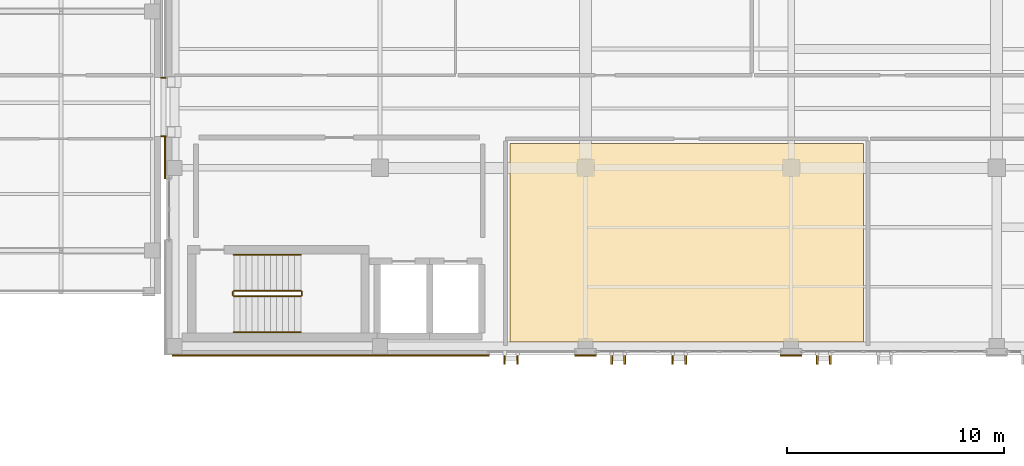
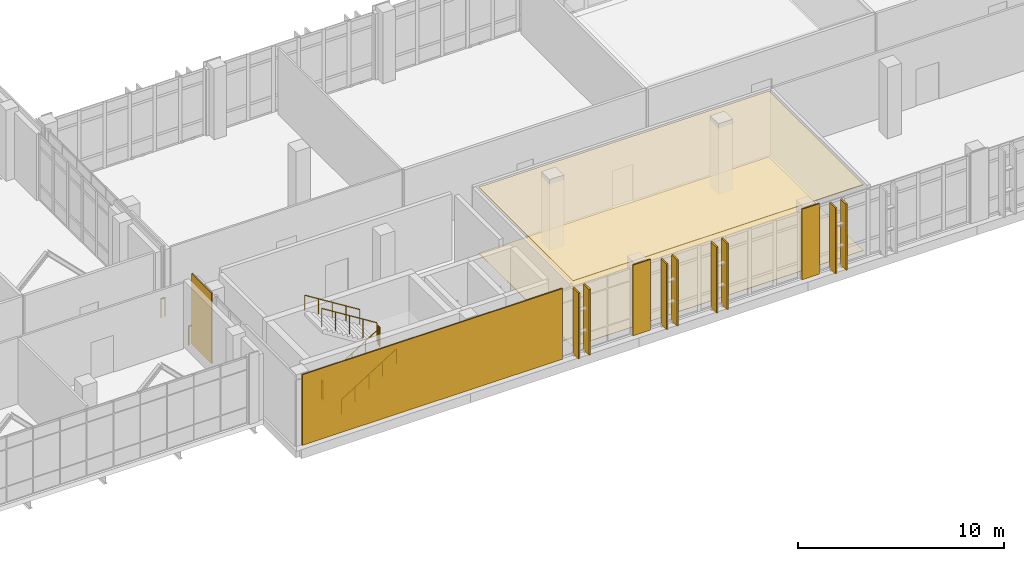
# One storey, part 148 of 165: 8 railings, 8 shading devices, 6 coverings.
"""IFC4 building model written with IfcOpenShell, lengths in metres."""

from ifc_helpers import new_model, si_unit, direction, frame, origin, origin_2d, place, context, subcontext, project, spatial, polyline, rectangle, circle, outline, extrude, material, layer, layer_set, type_object, element, save


model = new_model("IFC4")

# Units and contexts
model_context = context("Model", 3, precision=1e-05, world=origin(), true_north=direction((0.0, 1.0)))
body_context = subcontext(model_context, "Body", "Model", "MODEL_VIEW")
ifc_project = project(units=[si_unit("LENGTHUNIT", "METRE"), si_unit("AREAUNIT", "SQUARE_METRE"), si_unit("VOLUMEUNIT", "CUBIC_METRE"), si_unit("PLANEANGLEUNIT", "RADIAN"), si_unit("MASSUNIT", "GRAM", prefix="KILO")], contexts=[model_context])

# Site, building, storey
site_placement = place(None, origin())
site = spatial("IfcSite", under=ifc_project, at=site_placement, CompositionType="ELEMENT")
building_placement = place(site_placement, origin())
building = spatial("IfcBuilding", under=site, at=building_placement, Name="Qalavern Law Courts", CompositionType="ELEMENT")
storey_placement = place(building_placement, frame((0.0, 0.0, 14.39990234375)))
storey = spatial("IfcBuildingStorey", under=building, at=storey_placement, Name="L03", CompositionType="ELEMENT", Elevation=14.39990234375)

# Railings
ifc_material_1 = material(Name="Steel S355", Category="steel")
railing_type_1 = type_object("IfcRailingType", Name="ENV-BAL-1120", PredefinedType="BALUSTRADE", material=ifc_material_1)
for number, where, name in (
    (1, (34.0, 15.260009765625, 0.0), "Bridge BR-V1-V2 joint guard L03-1"),
    (2, (34.0, 17.93994140625, 0.0), "Bridge BR-V1-V2 joint guard L03-2"),
):
    element("IfcRailing", number, at=place(storey_placement, frame(where)), inside=storey, type_object=railing_type_1, Name=name, PredefinedType="BALUSTRADE", context=body_context, shape_type="SweptSolid", body=[
        extrude(circle(Radius=0.02392578125, at=origin_2d()), frame((0.0, 0.0, 1.09619140625), z_axis=(1.0, 0.0, 0.0), x_axis=(0.0, 1.0, 0.0)), (0.0, 0.0, 1.0), 0.219970703125),
        extrude(circle(Radius=0.02099609375, at=origin_2d()), origin(), (0.0, 0.0, 1.0), 1.072021484375),
        extrude(circle(Radius=0.02099609375, at=origin_2d()), frame((0.219970703125, 0.0, 0.0)), (0.0, 0.0, 1.0), 1.072021484375),
    ])

# Coverings
ifc_material_2 = material(Name="Precast concrete C40/50", Category="concrete")
ifc_layer_1 = layer(ifc_material_2, 0.072021484375)
ifc_layer_set_1 = layer_set([ifc_layer_1], Name="Precast concrete C40/50")
covering_type_1 = type_object("IfcCoveringType", Name="ENV-CLD-2", PredefinedType="CLADDING", material=ifc_layer_set_1)
covering_1_placement = place(storey_placement, frame((41.804931640625, 5.1669921875, 0.01025390625), z_axis=(0.0, 0.0, 1.0), x_axis=(1.0, 0.0, 0.0)))
element("IfcCovering", 3, at=covering_1_placement, inside=storey, type_object=covering_type_1, Name="V2 Absheron limestone pier facing L03 south 1", PredefinedType="CLADDING", context=body_context, shape_type="SweptSolid", body=[
    extrude(rectangle(XDim=14.570068359375, YDim=0.072021484375, at=origin_2d()), origin(), (0.0, 0.0, 1.0), 4.179931640625),
])
for number, where, z_axis, x_axis, name in (
    (4, (53.528564453125, 5.1669921875, 0.01025390625), (0.0, 0.0, 1.0), (1.0, 0.0, 0.0), "V2 Absheron limestone pier facing L03 south 2"),
    (5, (62.98291015625, 5.1669921875, 0.01025390625), (0.0, 0.0, 1.0), (1.0, 0.0, 0.0), "V2 Absheron limestone pier facing L03 south 3"),
):
    element("IfcCovering", number, at=place(storey_placement, frame(where, z_axis=z_axis, x_axis=x_axis)), inside=storey, type_object=covering_type_1, Name=name, PredefinedType="CLADDING", context=body_context, shape_type="SweptSolid", body=[
        extrude(rectangle(XDim=0.97998046875, YDim=0.072021484375, at=origin_2d()), origin(), (0.0, 0.0, 1.0), 4.179931640625),
    ])
covering_2_placement = place(storey_placement, frame((34.18701171875, 14.27490234375, 0.01025390625), z_axis=(0.0, 0.0, 1.0), x_axis=(0.0, -1.0, 0.0)))
element("IfcCovering", 6, at=covering_2_placement, inside=storey, type_object=covering_type_1, Name="V2 Absheron limestone pier facing L03 west 1", PredefinedType="CLADDING", context=body_context, shape_type="SweptSolid", body=[
    extrude(rectangle(XDim=1.929931640625, YDim=0.072021484375, at=origin_2d()), origin(), (0.0, 0.0, 1.0), 4.179931640625),
])

# Shading devices
shading_device_type = type_object("IfcShadingDeviceType", Name="ENV-FIN-1", PredefinedType="USERDEFINED", material=ifc_material_2)
for number, where, z_axis, x_axis, name in (
    (7, (49.800048828125, 5.03759765625, 0.01025390625), (0.0, 0.0, 1.0), (0.0, -1.0, 0.0), "Hall solar shading fin 0097"),
    (8, (50.39990234375, 5.03759765625, 0.01025390625), (0.0, 0.0, 1.0), (0.0, -1.0, 0.0), "Hall solar shading fin 0098"),
    (9, (54.728515625, 5.03759765625, 0.01025390625), (0.0, 0.0, 1.0), (0.0, -1.0, 0.0), "Hall solar shading fin 0099"),
    (10, (55.32861328125, 5.03759765625, 0.01025390625), (0.0, 0.0, 1.0), (0.0, -1.0, 0.0), "Hall solar shading fin 0100"),
    (11, (57.528564453125, 5.03759765625, 0.01025390625), (0.0, 0.0, 1.0), (0.0, -1.0, 0.0), "Hall solar shading fin 0101"),
    (12, (58.128662109375, 5.03759765625, 0.01025390625), (0.0, 0.0, 1.0), (0.0, -1.0, 0.0), "Hall solar shading fin 0102"),
    (13, (64.182861328125, 5.03759765625, 0.01025390625), (0.0, 0.0, 1.0), (0.0, -1.0, 0.0), "Hall solar shading fin 0103"),
    (14, (64.782958984375, 5.03759765625, 0.01025390625), (0.0, 0.0, 1.0), (0.0, -1.0, 0.0), "Hall solar shading fin 0104"),
):
    element("IfcShadingDevice", number, at=place(storey_placement, frame(where, z_axis=z_axis, x_axis=x_axis)), inside=storey, type_object=shading_device_type, Name=name, ObjectType="FIN", PredefinedType="USERDEFINED", context=body_context, shape_type="SweptSolid", body=[
        extrude(rectangle(XDim=0.5400390625, YDim=0.0849609375, at=origin_2d()), origin(), (0.0, 0.0, 1.0), 3.89990234375),
    ])

# Coverings
ifc_material_3 = material(Name="Perforated gypsum and mineral-wool acoustic ceiling")
ifc_layer_2 = layer(ifc_material_3, 0.0380859375)
ifc_layer_set_2 = layer_set([ifc_layer_2], Name="Perforated gypsum and mineral-wool acoustic ceiling")
covering_type_2 = type_object("IfcCoveringType", Name="INT-CEIL-1", PredefinedType="CEILING", material=ifc_layer_set_2)
covering_3_placement = place(storey_placement, frame((0.0, 0.0, 3.882080078125)))
element("IfcCovering", 15, at=covering_3_placement, inside=storey, type_object=covering_type_2, Name="Ceremonial Courtroom acoustic ceiling L03", PredefinedType="CEILING", context=body_context, shape_type="SweptSolid", body=[
    extrude(outline(polyline([(50.050048828125, 5.7900390625), (66.30810546875, 5.7900390625), (66.30810546875, 14.929931640625), (50.050048828125, 14.929931640625), (50.050048828125, 5.7900390625)])), origin(), (0.0, 0.0, 1.0), 0.0380859375),
])
ifc_material_4 = material(Name="Acoustic engineered oak courtroom flooring")
ifc_layer_3 = layer(ifc_material_4, 0.02197265625)
ifc_layer_set_3 = layer_set([ifc_layer_3], Name="Acoustic engineered oak courtroom flooring")
covering_type_3 = type_object("IfcCoveringType", Name="INT-FLR-1", PredefinedType="FLOORING", material=ifc_layer_set_3)
covering_4_placement = place(storey_placement, origin())
element("IfcCovering", 16, at=covering_4_placement, inside=storey, type_object=covering_type_3, Name="Ceremonial Courtroom finish flooring L03", PredefinedType="FLOORING", context=body_context, shape_type="SweptSolid", body=[
    extrude(outline(polyline([(50.050048828125, 5.7900390625), (66.30810546875, 5.7900390625), (66.30810546875, 14.929931640625), (50.050048828125, 14.929931640625), (50.050048828125, 5.7900390625)])), origin(), (0.0, 0.0, 1.0), 0.022216796875),
])

# Railings
railing_type_2 = type_object("IfcRailingType", Name="INT-GUARD-1120", PredefinedType="BALUSTRADE", material=ifc_material_1)
railing_1_placement = place(storey_placement, frame((37.35009765625, 7.89990234375, 0.175048828125)))
element("IfcRailing", 17, at=railing_1_placement, inside=storey, type_object=railing_type_2, Name="L03 ST-K4 stair guard 1", PredefinedType="BALUSTRADE", context=body_context, shape_type="SweptSolid", body=[
    extrude(circle(Radius=0.02392578125, at=origin_2d()), frame((0.0, 0.0, 1.09619140625), z_axis=(0.847979421464, 0.0, 0.530029150871), x_axis=(0.0, 1.0, 0.0)), (0.0, 0.0, 1.0), 3.632080078125),
    extrude(circle(Radius=0.02099609375, at=origin_2d()), origin(), (0.0, 0.0, 1.0), 1.072021484375),
    extrude(circle(Radius=0.02099609375, at=origin_2d()), frame((0.77001953125, 0.0, 0.481201171875)), (0.0, 0.0, 1.0), 1.072021484375),
    extrude(circle(Radius=0.02099609375, at=origin_2d()), frame((1.5400390625, 0.0, 0.96240234375)), (0.0, 0.0, 1.0), 1.072021484375),
    extrude(circle(Radius=0.02099609375, at=origin_2d()), frame((2.309814453125, 0.0, 1.44384765625)), (0.0, 0.0, 1.0), 1.072021484375),
    extrude(circle(Radius=0.02099609375, at=origin_2d()), frame((3.079833984375, 0.0, 1.925048828125)), (0.0, 0.0, 1.0), 1.072021484375),
])
railing_2_placement = place(storey_placement, frame((40.47998046875, 7.949951171875, 2.10009765625)))
element("IfcRailing", 18, at=railing_2_placement, inside=storey, type_object=railing_type_2, Name="L03 ST-K4 stair guard 2", PredefinedType="BALUSTRADE", context=body_context, shape_type="SweptSolid", body=[
    extrude(circle(Radius=0.02392578125, at=origin_2d()), frame((0.0, 0.0, 1.09619140625), z_axis=(0.0, 1.0, 0.0), x_axis=(-1.0, 0.0, 0.0)), (0.0, 0.0, 1.0), 0.150146484375),
    extrude(circle(Radius=0.02099609375, at=origin_2d()), origin(), (0.0, 0.0, 1.0), 1.072021484375),
    extrude(circle(Radius=0.02099609375, at=origin_2d()), frame((0.0, 0.150146484375, 0.0)), (0.0, 0.0, 1.0), 1.072021484375),
])
railing_3_placement = place(storey_placement, frame((40.429931640625, 8.14990234375, 2.275146484375)))
element("IfcRailing", 19, at=railing_3_placement, inside=storey, type_object=railing_type_2, Name="L03 ST-K4 stair guard 3", PredefinedType="BALUSTRADE", context=body_context, shape_type="SweptSolid", body=[
    extrude(circle(Radius=0.02392578125, at=origin_2d()), frame((0.0, 0.0, 1.09619140625), z_axis=(-0.847979421464, 0.0, 0.530029150871), x_axis=(0.0, -1.0, 0.0)), (0.0, 0.0, 1.0), 3.632080078125),
    extrude(circle(Radius=0.02099609375, at=origin_2d()), origin(), (0.0, 0.0, 1.0), 1.072021484375),
    extrude(circle(Radius=0.02099609375, at=origin_2d()), frame((-0.77001953125, 0.0, 0.481201171875)), (0.0, 0.0, 1.0), 1.072021484375),
    extrude(circle(Radius=0.02099609375, at=origin_2d()), frame((-1.5400390625, 0.0, 0.96240234375)), (0.0, 0.0, 1.0), 1.072021484375),
    extrude(circle(Radius=0.02099609375, at=origin_2d()), frame((-2.309814453125, 0.0, 1.44384765625)), (0.0, 0.0, 1.0), 1.072021484375),
    extrude(circle(Radius=0.02099609375, at=origin_2d()), frame((-3.079833984375, 0.0, 1.925048828125)), (0.0, 0.0, 1.0), 1.072021484375),
])
railing_4_placement = place(storey_placement, frame((37.300048828125, 7.949951171875, 0.0)))
element("IfcRailing", 20, at=railing_4_placement, inside=storey, type_object=railing_type_2, Name="L03 ST-K4 stair guard 4", PredefinedType="BALUSTRADE", context=body_context, shape_type="SweptSolid", body=[
    extrude(circle(Radius=0.02392578125, at=origin_2d()), frame((0.0, 0.0, 1.09619140625), z_axis=(0.0, 1.0, 0.0), x_axis=(-1.0, 0.0, 0.0)), (0.0, 0.0, 1.0), 0.150146484375),
    extrude(circle(Radius=0.02099609375, at=origin_2d()), origin(), (0.0, 0.0, 1.0), 1.072021484375),
    extrude(circle(Radius=0.02099609375, at=origin_2d()), frame((0.0, 0.150146484375, 0.0)), (0.0, 0.0, 1.0), 1.072021484375),
])
railing_type_3 = type_object("IfcRailingType", Name="INT-HRAIL-920", PredefinedType="HANDRAIL", material=ifc_material_1)
railing_5_placement = place(storey_placement, frame((37.35009765625, 6.25, 0.175048828125)))
element("IfcRailing", 21, at=railing_5_placement, inside=storey, type_object=railing_type_3, Name="L03 ST-K4 stair handrail 1", PredefinedType="HANDRAIL", context=body_context, shape_type="SweptSolid", body=[
    extrude(circle(Radius=0.02392578125, at=origin_2d()), frame((0.0, 0.0, 0.8759765625), z_axis=(0.847979421464, 0.0, 0.530029150871), x_axis=(0.0, 1.0, 0.0)), (0.0, 0.0, 1.0), 3.632080078125),
    extrude(circle(Radius=0.02099609375, at=origin_2d()), origin(), (0.0, 0.0, 1.0), 0.851806640625),
    extrude(circle(Radius=0.02099609375, at=origin_2d()), frame((0.77001953125, 0.0, 0.481201171875)), (0.0, 0.0, 1.0), 0.851806640625),
    extrude(circle(Radius=0.02099609375, at=origin_2d()), frame((1.5400390625, 0.0, 0.96240234375)), (0.0, 0.0, 1.0), 0.851806640625),
    extrude(circle(Radius=0.02099609375, at=origin_2d()), frame((2.309814453125, 0.0, 1.44384765625)), (0.0, 0.0, 1.0), 0.851806640625),
    extrude(circle(Radius=0.02099609375, at=origin_2d()), frame((3.079833984375, 0.0, 1.925048828125)), (0.0, 0.0, 1.0), 0.851806640625),
])
railing_6_placement = place(storey_placement, frame((40.429931640625, 9.800048828125, 2.275146484375)))
element("IfcRailing", 22, at=railing_6_placement, inside=storey, type_object=railing_type_3, Name="L03 ST-K4 stair handrail 2", PredefinedType="HANDRAIL", context=body_context, shape_type="SweptSolid", body=[
    extrude(circle(Radius=0.02392578125, at=origin_2d()), frame((0.0, 0.0, 0.8759765625), z_axis=(-0.847979421464, 0.0, 0.530029150871), x_axis=(0.0, -1.0, 0.0)), (0.0, 0.0, 1.0), 3.632080078125),
    extrude(circle(Radius=0.02099609375, at=origin_2d()), origin(), (0.0, 0.0, 1.0), 0.851806640625),
    extrude(circle(Radius=0.02099609375, at=origin_2d()), frame((-0.77001953125, 0.0, 0.481201171875)), (0.0, 0.0, 1.0), 0.851806640625),
    extrude(circle(Radius=0.02099609375, at=origin_2d()), frame((-1.5400390625, 0.0, 0.96240234375)), (0.0, 0.0, 1.0), 0.851806640625),
    extrude(circle(Radius=0.02099609375, at=origin_2d()), frame((-2.309814453125, 0.0, 1.44384765625)), (0.0, 0.0, 1.0), 0.851806640625),
    extrude(circle(Radius=0.02099609375, at=origin_2d()), frame((-3.079833984375, 0.0, 1.925048828125)), (0.0, 0.0, 1.0), 0.851806640625),
])

save(model, "model.ifc")
